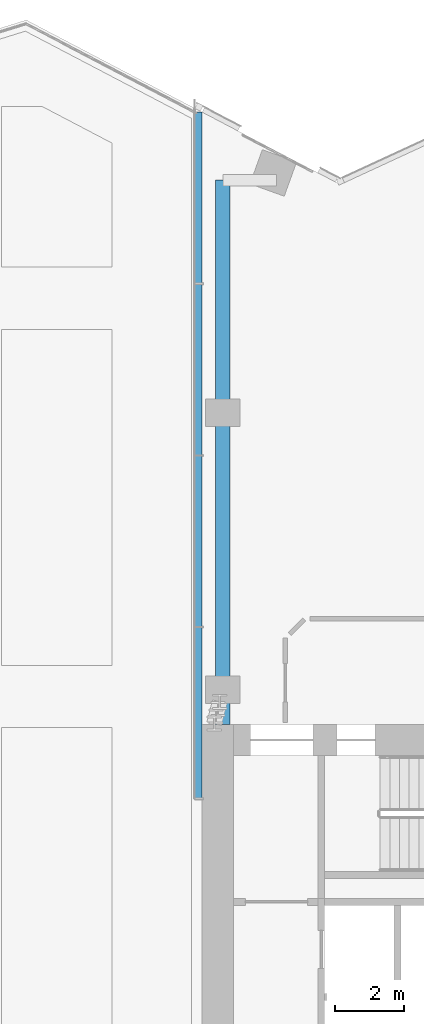
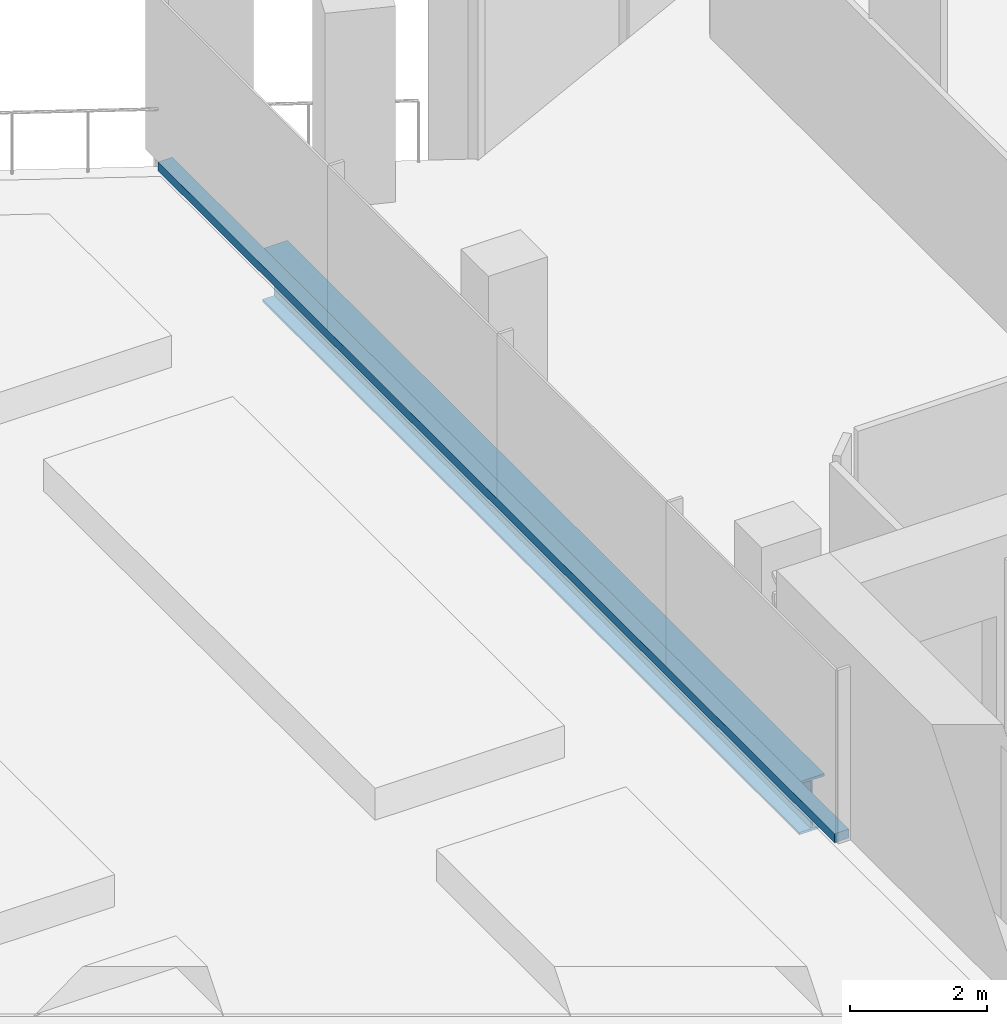
# One storey, part 8 of 26: 1 beam, 1 member, 1 element without a shape of its own.
"""IFC4 building model written with IfcOpenShell, lengths in metres."""

from ifc_helpers import new_model, si_unit, direction, frame, origin, origin_2d, place, context, subcontext, project, spatial, rectangle, i_section, extrude, material, material_profile, profile_set, type_object, element, aggregate, save


model = new_model("IFC4")

# Units and contexts
model_context = context("Model", 3, precision=1e-05, world=origin(), true_north=direction((0.0, 1.0)))
body_context = subcontext(model_context, "Body", "Model", "MODEL_VIEW")
ifc_project = project(units=[si_unit("LENGTHUNIT", "METRE"), si_unit("AREAUNIT", "SQUARE_METRE"), si_unit("VOLUMEUNIT", "CUBIC_METRE"), si_unit("PLANEANGLEUNIT", "RADIAN"), si_unit("MASSUNIT", "GRAM", prefix="KILO")], contexts=[model_context])

# Site, building, storey
site_placement = place(None, origin())
site = spatial("IfcSite", under=ifc_project, at=site_placement, CompositionType="ELEMENT")
building_placement = place(site_placement, origin())
building = spatial("IfcBuilding", under=site, at=building_placement, Name="Orlundy Tower", CompositionType="ELEMENT")
storey_placement = place(building_placement, frame((0.0, 0.0, 253.5)))
storey = spatial("IfcBuildingStorey", under=building, at=storey_placement, Name="L67", CompositionType="ELEMENT", Elevation=253.5)

# Curtain wall, member
ifc_material_1 = material(Name="Aluminium bronze anodised", Category="aluminium")
curtain_wall_type = type_object("IfcCurtainWallType", Name="CW1 wall", PredefinedType="NOTDEFINED", material=ifc_material_1)
curtain_wall_placement = place(storey_placement, origin())
curtain_wall = element("IfcCurtainWall", 1, at=curtain_wall_placement, inside=storey, type_object=curtain_wall_type, Name="CW1 run 118", PredefinedType="NOTDEFINED")
ifc_material_2 = material(Name="Aluminium bronze anodised", Category="aluminium")
ifc_material_profile_1 = material_profile(ifc_material_2, rectangle(XDim=0.239990234375, YDim=0.159912109375, at=origin_2d()), Name="CW6 transom 240x160")
ifc_profile_set_1 = profile_set([ifc_material_profile_1], Name="Aluminium bronze anodised")
member_type = type_object("IfcMemberType", Name="CW6 transom 240x160", PredefinedType="USERDEFINED", material=ifc_profile_set_1)
member_placement = place(storey_placement, frame((7.8798828125, 9.87646484375, 0.080078125), z_axis=(0.0, 1.0, 0.0), x_axis=(-1.0, 0.0, 0.0)))
member = element("IfcMember", 2, at=member_placement, type_object=member_type, Name="CW6 transom", ObjectType="TRANSOM", PredefinedType="USERDEFINED", context=body_context, shape_type="SweptSolid", body=[
    extrude(rectangle(XDim=0.239990234375, YDim=0.159912109375, at=origin_2d()), origin(), (0.0, 0.0, 1.0), 19.802490234375),
])
aggregate(curtain_wall, [member])

# Beam
ifc_material_3 = material(Name="Steel ASTM A992 Gr 50", Category="steel")
ifc_material_profile_2 = material_profile(ifc_material_3, i_section(OverallWidth=0.423095703125, OverallDepth=0.947265625, WebThickness=0.02392578125, FlangeThickness=0.042724609375, at=origin_2d()), Name="W36X302")
ifc_profile_set_2 = profile_set([ifc_material_profile_2], Name="Steel ASTM A992 Gr 50")
beam_type = type_object("IfcBeamType", Name="TRANSFER GIRDER beam W36X302", PredefinedType="BEAM", material=ifc_profile_set_2)
beam_placement = place(storey_placement, frame((8.60009765625, 12.0, -0.8935546875), z_axis=(0.0, 1.0, 0.0), x_axis=(-1.0, 0.0, 0.0)))
element("IfcBeam", 3, at=beam_placement, inside=storey, type_object=beam_type, Name="Transfer girder slot edge E4", PredefinedType="BEAM", context=body_context, shape_type="SweptSolid", body=[
    extrude(i_section(OverallWidth=0.423095703125, OverallDepth=0.947265625, WebThickness=0.02392578125, FlangeThickness=0.042724609375, at=origin_2d()), origin(), (0.0, 0.0, 1.0), 15.715087890625),
])

save(model, "model.ifc")
